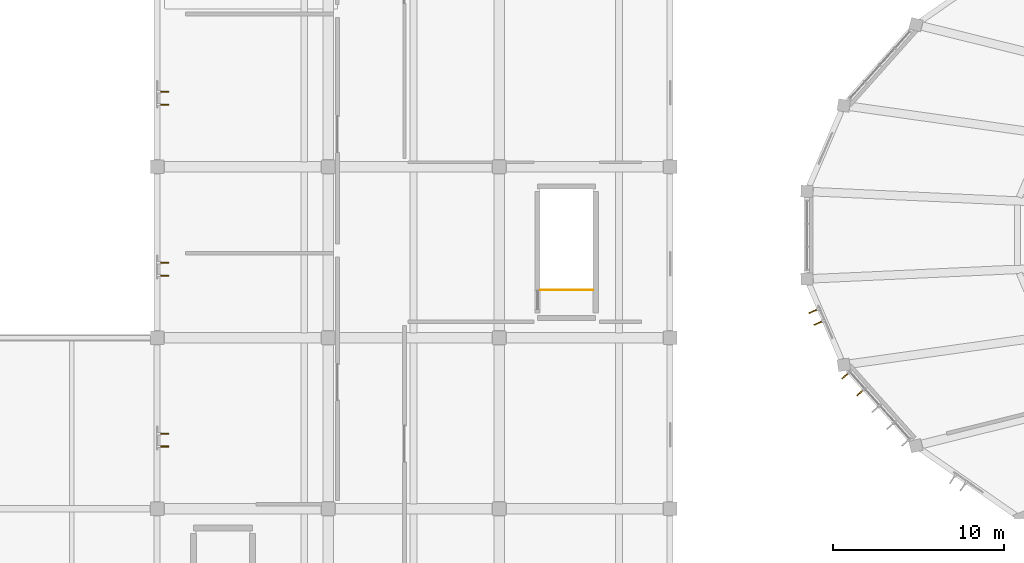
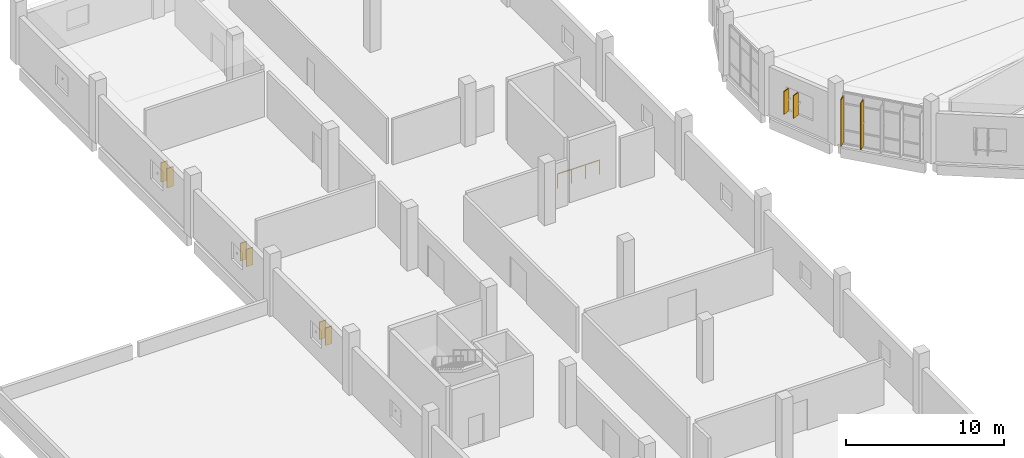
# One storey, part 156 of 179: 10 shading devices, 1 railing.
"""IFC4 building model written with IfcOpenShell, lengths in metres."""

from ifc_helpers import new_model, si_unit, direction, frame, origin, origin_2d, place, context, subcontext, project, spatial, rectangle, circle, extrude, material, layer, layer_set, type_object, element, save


model = new_model("IFC4")

# Units and contexts
model_context = context("Model", 3, precision=1e-05, world=origin(), true_north=direction((0.0, 1.0)))
body_context = subcontext(model_context, "Body", "Model", "MODEL_VIEW")
ifc_project = project(units=[si_unit("LENGTHUNIT", "METRE"), si_unit("AREAUNIT", "SQUARE_METRE"), si_unit("VOLUMEUNIT", "CUBIC_METRE"), si_unit("PLANEANGLEUNIT", "RADIAN"), si_unit("MASSUNIT", "GRAM", prefix="KILO")], contexts=[model_context])

# Site, building, storey
site_placement = place(None, origin())
site = spatial("IfcSite", under=ifc_project, at=site_placement, CompositionType="ELEMENT")
building_placement = place(site_placement, origin())
building = spatial("IfcBuilding", under=site, at=building_placement, Name="Corvandel Quay Wholesale Market", CompositionType="ELEMENT")
storey_placement = place(building_placement, frame((0.0, 0.0, 6.0)))
storey = spatial("IfcBuildingStorey", under=building, at=storey_placement, Name="L01", CompositionType="ELEMENT", Elevation=6.0)

# Railing
ifc_material_1 = material(Name="Painted galvanised tubular steel", Category="steel")
ifc_layer = layer(ifc_material_1, 0.054931640625)
ifc_layer_set = layer_set([ifc_layer], Name="Painted galvanised tubular steel")
railing_type = type_object("IfcRailingType", Name="Stairwell Inner Guard Railing GR02 1100mm", PredefinedType="GUARDRAIL", material=ifc_layer_set)
railing_placement = place(storey_placement, frame((42.419921875, 112.800048828125, 0.0)))
element("IfcRailing", 1, at=railing_placement, inside=storey, type_object=railing_type, Name="Stair Top Well Guard SH15-L01", PredefinedType="GUARDRAIL", context=body_context, shape_type="SweptSolid", body=[
    extrude(circle(Radius=0.02392578125, at=origin_2d()), frame((0.0, 0.0, 1.076171875), z_axis=(1.0, 0.0, 0.0), x_axis=(0.0, 1.0, 0.0)), (0.0, 0.0, 1.0), 3.06005859375),
    extrude(circle(Radius=0.02099609375, at=origin_2d()), origin(), (0.0, 0.0, 1.0), 1.052001953125),
    extrude(circle(Radius=0.02099609375, at=origin_2d()), frame((1.02001953125, 0.0, 0.0)), (0.0, 0.0, 1.0), 1.052001953125),
    extrude(circle(Radius=0.02099609375, at=origin_2d()), frame((2.0400390625, 0.0, 0.0)), (0.0, 0.0, 1.0), 1.052001953125),
    extrude(circle(Radius=0.02099609375, at=origin_2d()), frame((3.06005859375, 0.0, 0.0)), (0.0, 0.0, 1.0), 1.052001953125),
])

# Shading devices
ifc_material_2 = material(Name="Bronze anodised extruded aluminium 6063-T6", Category="aluminium")
shading_device_type = type_object("IfcShadingDeviceType", Name="Vertical Anodised Bronze Solar Fin FN01 480mm", PredefinedType="JALOUSIE", material=ifc_material_2)
for number, where, z_axis, x_axis, name in (
    (2, (58.336669921875, 111.535888671875, 1.0), (0.0, 0.0, 1.0), (0.919204081089, 0.393781484212, 0.0), "Solar Fin 0276"),
    (3, (58.632080078125, 110.846435546875, 1.0), (0.0, 0.0, 1.0), (0.919204081089, 0.393781484212, 0.0), "Solar Fin 0277"),
):
    element("IfcShadingDevice", number, at=place(storey_placement, frame(where, z_axis=z_axis, x_axis=x_axis)), inside=storey, type_object=shading_device_type, Name=name, PredefinedType="JALOUSIE", context=body_context, shape_type="SweptSolid", body=[
        extrude(rectangle(XDim=0.47998046875, YDim=0.06494140625, at=origin_2d()), origin(), (0.0, 0.0, 1.0), 1.75),
    ])
for number, where, z_axis, x_axis, name in (
    (4, (60.227783203125, 107.760009765625, 0.175048828125), (0.0, 0.0, 1.0), (0.746289766155, 0.665621202286, 0.0), "Solar Fin 0281"),
    (5, (61.103515625, 106.778564453125, 0.175048828125), (0.0, 0.0, 1.0), (0.746289766155, 0.665621202286, 0.0), "Solar Fin 0282"),
):
    element("IfcShadingDevice", number, at=place(storey_placement, frame(where, z_axis=z_axis, x_axis=x_axis)), inside=storey, type_object=shading_device_type, Name=name, PredefinedType="JALOUSIE", context=body_context, shape_type="SweptSolid", body=[
        extrude(rectangle(XDim=0.47998046875, YDim=0.06494140625, at=origin_2d()), origin(), (0.0, 0.0, 1.0), 3.60009765625),
    ])
for number, where, z_axis, x_axis, name in (
    (6, (20.43994140625, 103.639892578125, 1.199951171875), (0.0, 0.0, 1.0), (1.0, 0.0, 0.0), "Solar Fin 0566"),
    (7, (20.43994140625, 104.389892578125, 1.199951171875), (0.0, 0.0, 1.0), (1.0, 0.0, 0.0), "Solar Fin 0567"),
    (8, (20.43994140625, 113.639892578125, 1.199951171875), (0.0, 0.0, 1.0), (1.0, 0.0, 0.0), "Solar Fin 0571"),
    (9, (20.43994140625, 114.389892578125, 1.199951171875), (0.0, 0.0, 1.0), (1.0, 0.0, 0.0), "Solar Fin 0572"),
):
    element("IfcShadingDevice", number, at=place(storey_placement, frame(where, z_axis=z_axis, x_axis=x_axis)), inside=storey, type_object=shading_device_type, Name=name, PredefinedType="JALOUSIE", context=body_context, shape_type="SweptSolid", body=[
        extrude(rectangle(XDim=0.47998046875, YDim=0.06494140625, at=origin_2d()), origin(), (0.0, 0.0, 1.0), 1.35009765625),
    ])
for number, where, z_axis, x_axis, name in (
    (10, (20.43994140625, 123.639892578125, 1.199951171875), (0.0, 0.0, 1.0), (1.0, 0.0, 0.0), "Solar Fin 0576"),
    (11, (20.43994140625, 124.389892578125, 1.199951171875), (0.0, 0.0, 1.0), (1.0, 0.0, 0.0), "Solar Fin 0577"),
):
    element("IfcShadingDevice", number, at=place(storey_placement, frame(where, z_axis=z_axis, x_axis=x_axis)), inside=storey, type_object=shading_device_type, Name=name, PredefinedType="JALOUSIE", context=body_context, shape_type="SweptSolid", body=[
        extrude(rectangle(XDim=0.47998046875, YDim=0.06494140625, at=origin_2d()), origin(), (0.0, 0.0, 1.0), 1.5),
    ])

save(model, "model.ifc")
